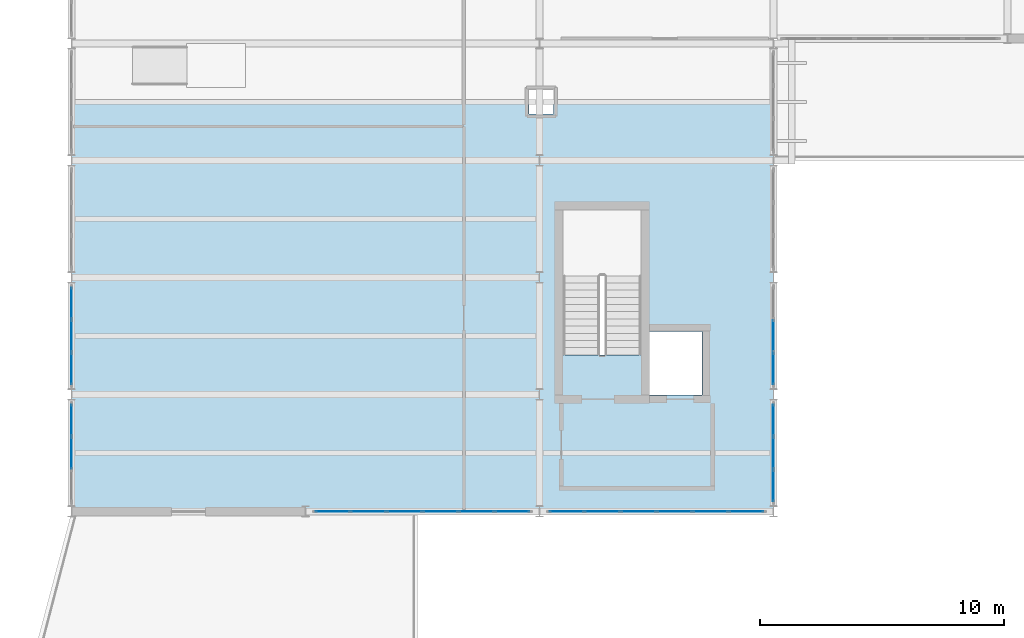
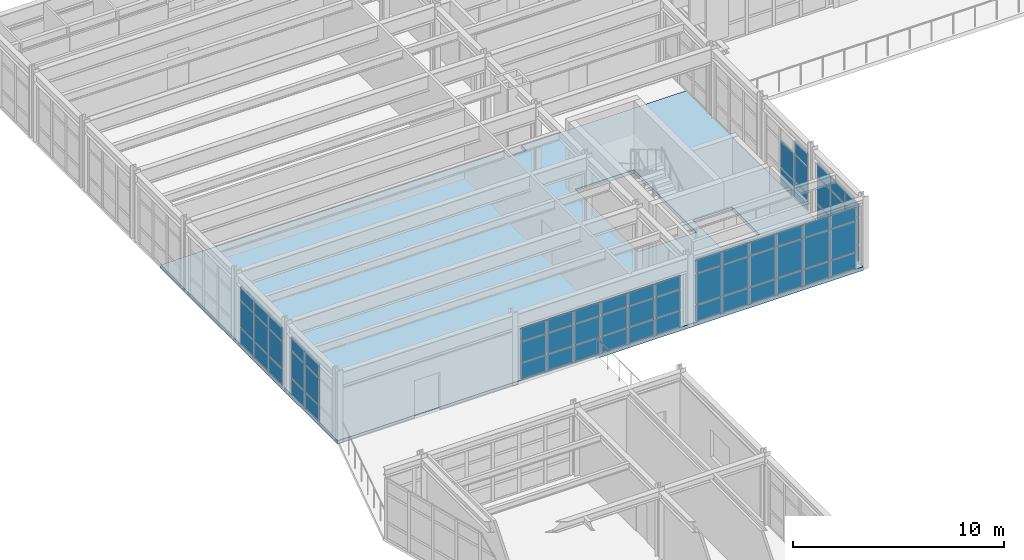
# One storey, part 31 of 47: 65 plates, 1 slab, 6 elements without a shape of their own.
"""IFC4 building model written with IfcOpenShell, lengths in metres."""

from ifc_helpers import new_model, si_unit, direction, frame, origin, origin_2d, place, context, subcontext, project, spatial, polyline, rectangle, outline, extrude, material, layer, layer_set, type_object, element, aggregate, save


model = new_model("IFC4")

# Units and contexts
model_context = context("Model", 3, precision=1e-05, world=origin(), true_north=direction((0.0, 1.0)))
body_context = subcontext(model_context, "Body", "Model", "MODEL_VIEW")
ifc_project = project(units=[si_unit("LENGTHUNIT", "METRE"), si_unit("AREAUNIT", "SQUARE_METRE"), si_unit("VOLUMEUNIT", "CUBIC_METRE"), si_unit("PLANEANGLEUNIT", "RADIAN"), si_unit("MASSUNIT", "GRAM", prefix="KILO")], contexts=[model_context])

# Site, building, storey
site_placement = place(None, origin())
site = spatial("IfcSite", under=ifc_project, at=site_placement, CompositionType="ELEMENT")
building_placement = place(site_placement, origin())
building = spatial("IfcBuilding", under=site, at=building_placement, Name="Nordkorset Police Headquarters", CompositionType="ELEMENT")
storey_placement = place(building_placement, frame((0.0, 0.0, 22.050048828125)))
storey = spatial("IfcBuildingStorey", under=building, at=storey_placement, Name="L05", CompositionType="ELEMENT", Elevation=22.050048828125)

# Curtain wall, plates
ifc_material_1 = material(Name="Aluminium alloy AW-6060", Category="aluminium")
ifc_layer_1 = layer(ifc_material_1, 0.179931640625, Name="Aluminium alloy AW-6060")
ifc_layer_set_1 = layer_set([ifc_layer_1], Name="Aluminium alloy AW-6060")
curtain_wall_type_1 = type_object("IfcCurtainWallType", Name="CW_Unit_408x344", PredefinedType="USERDEFINED", material=ifc_layer_set_1)
curtain_wall_1_placement = place(storey_placement, origin())
curtain_wall_1 = element("IfcCurtainWall", 1, at=curtain_wall_1_placement, inside=storey, type_object=curtain_wall_type_1, Name="Unitised Curtain Wall L05 V1W-0", ObjectType="UNITISED CURTAIN WALL", PredefinedType="USERDEFINED")
ifc_material_2 = material(Name="Low-iron triple glazing", Category="glass")
ifc_layer_2 = layer(ifc_material_2, 0.035888671875, Name="Low-iron triple glazing")
ifc_layer_set_2 = layer_set([ifc_layer_2], Name="Low-iron triple glazing")
plate_type = type_object("IfcPlateType", Name="CW_Panel_TripleGlazing_36", PredefinedType="CURTAIN_PANEL", material=ifc_layer_set_2)
plate_1_placement = place(storey_placement, frame((0.0, 85.60009765625, 0.06494140625), z_axis=(0.0, 0.0, 1.0), x_axis=(0.0, 1.0, 0.0)))
plate_1 = element("IfcPlate", 2, at=plate_1_placement, type_object=plate_type, Name="CW-29 panel 2.1", PredefinedType="CURTAIN_PANEL", context=body_context, shape_type="SweptSolid", body=[
    extrude(rectangle(XDim=1.294921875, YDim=0.035888671875, at=origin_2d()), origin(), (0.0, 0.0, 1.0), 0.902587890625),
])
plate_2_placement = place(storey_placement, frame((0.0, 85.60009765625, 1.032470703125), z_axis=(0.0, 0.0, 1.0), x_axis=(0.0, 1.0, 0.0)))
plate_2 = element("IfcPlate", 3, at=plate_2_placement, type_object=plate_type, Name="CW-29 panel 2.2", PredefinedType="CURTAIN_PANEL", context=body_context, shape_type="SweptSolid", body=[
    extrude(rectangle(XDim=1.294921875, YDim=0.035888671875, at=origin_2d()), origin(), (0.0, 0.0, 1.0), 1.52490234375),
])
plate_3_placement = place(storey_placement, frame((0.0, 85.60009765625, 2.62255859375), z_axis=(0.0, 0.0, 1.0), x_axis=(0.0, 1.0, 0.0)))
plate_3 = element("IfcPlate", 4, at=plate_3_placement, type_object=plate_type, Name="CW-29 panel 2.3", PredefinedType="CURTAIN_PANEL", context=body_context, shape_type="SweptSolid", body=[
    extrude(rectangle(XDim=1.294921875, YDim=0.035888671875, at=origin_2d()), origin(), (0.0, 0.0, 1.0), 0.75244140625),
])
plate_4_placement = place(storey_placement, frame((0.0, 86.94384765625, 0.06494140625), z_axis=(0.0, 0.0, 1.0), x_axis=(0.0, 1.0, 0.0)))
plate_4 = element("IfcPlate", 5, at=plate_4_placement, type_object=plate_type, Name="CW-29 panel 3.1", PredefinedType="CURTAIN_PANEL", context=body_context, shape_type="SweptSolid", body=[
    extrude(rectangle(XDim=1.262451171875, YDim=0.035888671875, at=origin_2d()), origin(), (0.0, 0.0, 1.0), 0.902587890625),
])
plate_5_placement = place(storey_placement, frame((0.0, 86.94384765625, 1.032470703125), z_axis=(0.0, 0.0, 1.0), x_axis=(0.0, 1.0, 0.0)))
plate_5 = element("IfcPlate", 6, at=plate_5_placement, type_object=plate_type, Name="CW-29 panel 3.2", PredefinedType="CURTAIN_PANEL", context=body_context, shape_type="SweptSolid", body=[
    extrude(rectangle(XDim=1.262451171875, YDim=0.035888671875, at=origin_2d()), origin(), (0.0, 0.0, 1.0), 1.52490234375),
])
plate_6_placement = place(storey_placement, frame((0.0, 86.94384765625, 2.62255859375), z_axis=(0.0, 0.0, 1.0), x_axis=(0.0, 1.0, 0.0)))
plate_6 = element("IfcPlate", 7, at=plate_6_placement, type_object=plate_type, Name="CW-29 panel 3.3", PredefinedType="CURTAIN_PANEL", context=body_context, shape_type="SweptSolid", body=[
    extrude(rectangle(XDim=1.262451171875, YDim=0.035888671875, at=origin_2d()), origin(), (0.0, 0.0, 1.0), 0.75244140625),
])
aggregate(curtain_wall_1, [plate_1, plate_2, plate_3, plate_4, plate_5, plate_6])

curtain_wall_2_placement = place(storey_placement, origin())
curtain_wall_2 = element("IfcCurtainWall", 8, at=curtain_wall_2_placement, inside=storey, type_object=curtain_wall_type_1, Name="Unitised Curtain Wall L05 V1W-1", ObjectType="UNITISED CURTAIN WALL", PredefinedType="USERDEFINED")
plate_7_placement = place(storey_placement, frame((0.0, 89.05615234375, 0.06494140625), z_axis=(0.0, 0.0, 1.0), x_axis=(0.0, 1.0, 0.0)))
plate_7 = element("IfcPlate", 9, at=plate_7_placement, type_object=plate_type, Name="CW-29 panel 1.1", PredefinedType="CURTAIN_PANEL", context=body_context, shape_type="SweptSolid", body=[
    extrude(rectangle(XDim=1.262451171875, YDim=0.035888671875, at=origin_2d()), origin(), (0.0, 0.0, 1.0), 0.902587890625),
])
plate_8_placement = place(storey_placement, frame((0.0, 89.05615234375, 1.032470703125), z_axis=(0.0, 0.0, 1.0), x_axis=(0.0, 1.0, 0.0)))
plate_8 = element("IfcPlate", 10, at=plate_8_placement, type_object=plate_type, Name="CW-29 panel 1.2", PredefinedType="CURTAIN_PANEL", context=body_context, shape_type="SweptSolid", body=[
    extrude(rectangle(XDim=1.262451171875, YDim=0.035888671875, at=origin_2d()), origin(), (0.0, 0.0, 1.0), 1.52490234375),
])
plate_9_placement = place(storey_placement, frame((0.0, 89.05615234375, 2.62255859375), z_axis=(0.0, 0.0, 1.0), x_axis=(0.0, 1.0, 0.0)))
plate_9 = element("IfcPlate", 11, at=plate_9_placement, type_object=plate_type, Name="CW-29 panel 1.3", PredefinedType="CURTAIN_PANEL", context=body_context, shape_type="SweptSolid", body=[
    extrude(rectangle(XDim=1.262451171875, YDim=0.035888671875, at=origin_2d()), origin(), (0.0, 0.0, 1.0), 0.75244140625),
])
plate_10_placement = place(storey_placement, frame((0.0, 90.39990234375, 0.06494140625), z_axis=(0.0, 0.0, 1.0), x_axis=(0.0, 1.0, 0.0)))
plate_10 = element("IfcPlate", 12, at=plate_10_placement, type_object=plate_type, Name="CW-29 panel 2.1", PredefinedType="CURTAIN_PANEL", context=body_context, shape_type="SweptSolid", body=[
    extrude(rectangle(XDim=1.294921875, YDim=0.035888671875, at=origin_2d()), origin(), (0.0, 0.0, 1.0), 0.902587890625),
])
plate_11_placement = place(storey_placement, frame((0.0, 90.39990234375, 1.032470703125), z_axis=(0.0, 0.0, 1.0), x_axis=(0.0, 1.0, 0.0)))
plate_11 = element("IfcPlate", 13, at=plate_11_placement, type_object=plate_type, Name="CW-29 panel 2.2", PredefinedType="CURTAIN_PANEL", context=body_context, shape_type="SweptSolid", body=[
    extrude(rectangle(XDim=1.294921875, YDim=0.035888671875, at=origin_2d()), origin(), (0.0, 0.0, 1.0), 1.52490234375),
])
plate_12_placement = place(storey_placement, frame((0.0, 90.39990234375, 2.62255859375), z_axis=(0.0, 0.0, 1.0), x_axis=(0.0, 1.0, 0.0)))
plate_12 = element("IfcPlate", 14, at=plate_12_placement, type_object=plate_type, Name="CW-29 panel 2.3", PredefinedType="CURTAIN_PANEL", context=body_context, shape_type="SweptSolid", body=[
    extrude(rectangle(XDim=1.294921875, YDim=0.035888671875, at=origin_2d()), origin(), (0.0, 0.0, 1.0), 0.75244140625),
])
plate_13_placement = place(storey_placement, frame((0.0, 91.74365234375, 0.06494140625), z_axis=(0.0, 0.0, 1.0), x_axis=(0.0, 1.0, 0.0)))
plate_13 = element("IfcPlate", 15, at=plate_13_placement, type_object=plate_type, Name="CW-29 panel 3.1", PredefinedType="CURTAIN_PANEL", context=body_context, shape_type="SweptSolid", body=[
    extrude(rectangle(XDim=1.262451171875, YDim=0.035888671875, at=origin_2d()), origin(), (0.0, 0.0, 1.0), 0.902587890625),
])
plate_14_placement = place(storey_placement, frame((0.0, 91.74365234375, 1.032470703125), z_axis=(0.0, 0.0, 1.0), x_axis=(0.0, 1.0, 0.0)))
plate_14 = element("IfcPlate", 16, at=plate_14_placement, type_object=plate_type, Name="CW-29 panel 3.2", PredefinedType="CURTAIN_PANEL", context=body_context, shape_type="SweptSolid", body=[
    extrude(rectangle(XDim=1.262451171875, YDim=0.035888671875, at=origin_2d()), origin(), (0.0, 0.0, 1.0), 1.52490234375),
])
plate_15_placement = place(storey_placement, frame((0.0, 91.74365234375, 2.62255859375), z_axis=(0.0, 0.0, 1.0), x_axis=(0.0, 1.0, 0.0)))
plate_15 = element("IfcPlate", 17, at=plate_15_placement, type_object=plate_type, Name="CW-29 panel 3.3", PredefinedType="CURTAIN_PANEL", context=body_context, shape_type="SweptSolid", body=[
    extrude(rectangle(XDim=1.262451171875, YDim=0.035888671875, at=origin_2d()), origin(), (0.0, 0.0, 1.0), 0.75244140625),
])
aggregate(curtain_wall_2, [plate_7, plate_8, plate_9, plate_10, plate_11, plate_12, plate_13, plate_14, plate_15])

curtain_wall_3_placement = place(storey_placement, origin())
curtain_wall_3 = element("IfcCurtainWall", 18, at=curtain_wall_3_placement, inside=storey, type_object=curtain_wall_type_1, Name="Unitised Curtain Wall L05 V1E-0", ObjectType="UNITISED CURTAIN WALL", PredefinedType="USERDEFINED")
plate_16_placement = place(storey_placement, frame((28.800048828125, 84.25634765625, 0.06494140625), z_axis=(0.0, 0.0, 1.0), x_axis=(0.0, 1.0, 0.0)))
plate_16 = element("IfcPlate", 19, at=plate_16_placement, type_object=plate_type, Name="CW-29 panel 1.1", PredefinedType="CURTAIN_PANEL", context=body_context, shape_type="SweptSolid", body=[
    extrude(rectangle(XDim=1.262451171875, YDim=0.035888671875, at=origin_2d()), origin(), (0.0, 0.0, 1.0), 0.902587890625),
])
plate_17_placement = place(storey_placement, frame((28.800048828125, 84.25634765625, 1.032470703125), z_axis=(0.0, 0.0, 1.0), x_axis=(0.0, 1.0, 0.0)))
plate_17 = element("IfcPlate", 20, at=plate_17_placement, type_object=plate_type, Name="CW-29 panel 1.2", PredefinedType="CURTAIN_PANEL", context=body_context, shape_type="SweptSolid", body=[
    extrude(rectangle(XDim=1.262451171875, YDim=0.035888671875, at=origin_2d()), origin(), (0.0, 0.0, 1.0), 1.52490234375),
])
plate_18_placement = place(storey_placement, frame((28.800048828125, 84.25634765625, 2.62255859375), z_axis=(0.0, 0.0, 1.0), x_axis=(0.0, 1.0, 0.0)))
plate_18 = element("IfcPlate", 21, at=plate_18_placement, type_object=plate_type, Name="CW-29 panel 1.3", PredefinedType="CURTAIN_PANEL", context=body_context, shape_type="SweptSolid", body=[
    extrude(rectangle(XDim=1.262451171875, YDim=0.035888671875, at=origin_2d()), origin(), (0.0, 0.0, 1.0), 0.75244140625),
])
plate_19_placement = place(storey_placement, frame((28.800048828125, 85.60009765625, 0.06494140625), z_axis=(0.0, 0.0, 1.0), x_axis=(0.0, 1.0, 0.0)))
plate_19 = element("IfcPlate", 22, at=plate_19_placement, type_object=plate_type, Name="CW-29 panel 2.1", PredefinedType="CURTAIN_PANEL", context=body_context, shape_type="SweptSolid", body=[
    extrude(rectangle(XDim=1.294921875, YDim=0.035888671875, at=origin_2d()), origin(), (0.0, 0.0, 1.0), 0.902587890625),
])
plate_20_placement = place(storey_placement, frame((28.800048828125, 85.60009765625, 1.032470703125), z_axis=(0.0, 0.0, 1.0), x_axis=(0.0, 1.0, 0.0)))
plate_20 = element("IfcPlate", 23, at=plate_20_placement, type_object=plate_type, Name="CW-29 panel 2.2", PredefinedType="CURTAIN_PANEL", context=body_context, shape_type="SweptSolid", body=[
    extrude(rectangle(XDim=1.294921875, YDim=0.035888671875, at=origin_2d()), origin(), (0.0, 0.0, 1.0), 1.52490234375),
])
plate_21_placement = place(storey_placement, frame((28.800048828125, 85.60009765625, 2.62255859375), z_axis=(0.0, 0.0, 1.0), x_axis=(0.0, 1.0, 0.0)))
plate_21 = element("IfcPlate", 24, at=plate_21_placement, type_object=plate_type, Name="CW-29 panel 2.3", PredefinedType="CURTAIN_PANEL", context=body_context, shape_type="SweptSolid", body=[
    extrude(rectangle(XDim=1.294921875, YDim=0.035888671875, at=origin_2d()), origin(), (0.0, 0.0, 1.0), 0.75244140625),
])
plate_22_placement = place(storey_placement, frame((28.800048828125, 86.94384765625, 0.06494140625), z_axis=(0.0, 0.0, 1.0), x_axis=(0.0, 1.0, 0.0)))
plate_22 = element("IfcPlate", 25, at=plate_22_placement, type_object=plate_type, Name="CW-29 panel 3.1", PredefinedType="CURTAIN_PANEL", context=body_context, shape_type="SweptSolid", body=[
    extrude(rectangle(XDim=1.262451171875, YDim=0.035888671875, at=origin_2d()), origin(), (0.0, 0.0, 1.0), 0.902587890625),
])
plate_23_placement = place(storey_placement, frame((28.800048828125, 86.94384765625, 1.032470703125), z_axis=(0.0, 0.0, 1.0), x_axis=(0.0, 1.0, 0.0)))
plate_23 = element("IfcPlate", 26, at=plate_23_placement, type_object=plate_type, Name="CW-29 panel 3.2", PredefinedType="CURTAIN_PANEL", context=body_context, shape_type="SweptSolid", body=[
    extrude(rectangle(XDim=1.262451171875, YDim=0.035888671875, at=origin_2d()), origin(), (0.0, 0.0, 1.0), 1.52490234375),
])
plate_24_placement = place(storey_placement, frame((28.800048828125, 86.94384765625, 2.62255859375), z_axis=(0.0, 0.0, 1.0), x_axis=(0.0, 1.0, 0.0)))
plate_24 = element("IfcPlate", 27, at=plate_24_placement, type_object=plate_type, Name="CW-29 panel 3.3", PredefinedType="CURTAIN_PANEL", context=body_context, shape_type="SweptSolid", body=[
    extrude(rectangle(XDim=1.262451171875, YDim=0.035888671875, at=origin_2d()), origin(), (0.0, 0.0, 1.0), 0.75244140625),
])
aggregate(curtain_wall_3, [plate_16, plate_17, plate_18, plate_19, plate_20, plate_21, plate_22, plate_23, plate_24])

curtain_wall_4_placement = place(storey_placement, origin())
curtain_wall_4 = element("IfcCurtainWall", 28, at=curtain_wall_4_placement, inside=storey, type_object=curtain_wall_type_1, Name="Unitised Curtain Wall L05 V1E-1", ObjectType="UNITISED CURTAIN WALL", PredefinedType="USERDEFINED")
plate_25_placement = place(storey_placement, frame((28.800048828125, 89.05615234375, 0.06494140625), z_axis=(0.0, 0.0, 1.0), x_axis=(0.0, 1.0, 0.0)))
plate_25 = element("IfcPlate", 29, at=plate_25_placement, type_object=plate_type, Name="CW-29 panel 1.1", PredefinedType="CURTAIN_PANEL", context=body_context, shape_type="SweptSolid", body=[
    extrude(rectangle(XDim=1.262451171875, YDim=0.035888671875, at=origin_2d()), origin(), (0.0, 0.0, 1.0), 0.902587890625),
])
plate_26_placement = place(storey_placement, frame((28.800048828125, 89.05615234375, 1.032470703125), z_axis=(0.0, 0.0, 1.0), x_axis=(0.0, 1.0, 0.0)))
plate_26 = element("IfcPlate", 30, at=plate_26_placement, type_object=plate_type, Name="CW-29 panel 1.2", PredefinedType="CURTAIN_PANEL", context=body_context, shape_type="SweptSolid", body=[
    extrude(rectangle(XDim=1.262451171875, YDim=0.035888671875, at=origin_2d()), origin(), (0.0, 0.0, 1.0), 1.52490234375),
])
plate_27_placement = place(storey_placement, frame((28.800048828125, 89.05615234375, 2.62255859375), z_axis=(0.0, 0.0, 1.0), x_axis=(0.0, 1.0, 0.0)))
plate_27 = element("IfcPlate", 31, at=plate_27_placement, type_object=plate_type, Name="CW-29 panel 1.3", PredefinedType="CURTAIN_PANEL", context=body_context, shape_type="SweptSolid", body=[
    extrude(rectangle(XDim=1.262451171875, YDim=0.035888671875, at=origin_2d()), origin(), (0.0, 0.0, 1.0), 0.75244140625),
])
plate_28_placement = place(storey_placement, frame((28.800048828125, 90.39990234375, 0.06494140625), z_axis=(0.0, 0.0, 1.0), x_axis=(0.0, 1.0, 0.0)))
plate_28 = element("IfcPlate", 32, at=plate_28_placement, type_object=plate_type, Name="CW-29 panel 2.1", PredefinedType="CURTAIN_PANEL", context=body_context, shape_type="SweptSolid", body=[
    extrude(rectangle(XDim=1.294921875, YDim=0.035888671875, at=origin_2d()), origin(), (0.0, 0.0, 1.0), 0.902587890625),
])
plate_29_placement = place(storey_placement, frame((28.800048828125, 90.39990234375, 1.032470703125), z_axis=(0.0, 0.0, 1.0), x_axis=(0.0, 1.0, 0.0)))
plate_29 = element("IfcPlate", 33, at=plate_29_placement, type_object=plate_type, Name="CW-29 panel 2.2", PredefinedType="CURTAIN_PANEL", context=body_context, shape_type="SweptSolid", body=[
    extrude(rectangle(XDim=1.294921875, YDim=0.035888671875, at=origin_2d()), origin(), (0.0, 0.0, 1.0), 1.52490234375),
])
aggregate(curtain_wall_4, [plate_25, plate_26, plate_27, plate_28, plate_29])

ifc_material_3 = material(Name="Aluminium alloy AW-6060", Category="aluminium")
ifc_layer_3 = layer(ifc_material_3, 0.179931640625, Name="Aluminium alloy AW-6060")
ifc_layer_set_3 = layer_set([ifc_layer_3], Name="Aluminium alloy AW-6060")
curtain_wall_type_2 = type_object("IfcCurtainWallType", Name="CW_Unit_888x308", PredefinedType="USERDEFINED", material=ifc_layer_set_3)
curtain_wall_5_placement = place(storey_placement, origin())
curtain_wall_5 = element("IfcCurtainWall", 34, at=curtain_wall_5_placement, inside=storey, type_object=curtain_wall_type_2, Name="Unitised Curtain Wall L05 V1S-1", ObjectType="UNITISED CURTAIN WALL", PredefinedType="USERDEFINED")
plate_30_placement = place(storey_placement, frame((10.71630859375, 83.199951171875, 0.06494140625), z_axis=(0.0, 0.0, 1.0), x_axis=(1.0, 0.0, 0.0)))
plate_30 = element("IfcPlate", 35, at=plate_30_placement, type_object=plate_type, Name="CW-81 panel 1.1", PredefinedType="CURTAIN_PANEL", context=body_context, shape_type="SweptSolid", body=[
    extrude(rectangle(XDim=1.382568359375, YDim=0.035888671875, at=origin_2d()), origin(), (0.0, 0.0, 1.0), 0.902587890625),
])
plate_31_placement = place(storey_placement, frame((10.71630859375, 83.199951171875, 1.032470703125), z_axis=(0.0, 0.0, 1.0), x_axis=(1.0, 0.0, 0.0)))
plate_31 = element("IfcPlate", 36, at=plate_31_placement, type_object=plate_type, Name="CW-81 panel 1.2", PredefinedType="CURTAIN_PANEL", context=body_context, shape_type="SweptSolid", body=[
    extrude(rectangle(XDim=1.382568359375, YDim=0.035888671875, at=origin_2d()), origin(), (0.0, 0.0, 1.0), 1.1650390625),
])
plate_32_placement = place(storey_placement, frame((10.71630859375, 83.199951171875, 2.262451171875), z_axis=(0.0, 0.0, 1.0), x_axis=(1.0, 0.0, 0.0)))
plate_32 = element("IfcPlate", 37, at=plate_32_placement, type_object=plate_type, Name="CW-81 panel 1.3", PredefinedType="CURTAIN_PANEL", context=body_context, shape_type="SweptSolid", body=[
    extrude(rectangle(XDim=1.382568359375, YDim=0.035888671875, at=origin_2d()), origin(), (0.0, 0.0, 1.0), 0.75244140625),
])
plate_33_placement = place(storey_placement, frame((12.179931640625, 83.199951171875, 0.06494140625), z_axis=(0.0, 0.0, 1.0), x_axis=(1.0, 0.0, 0.0)))
plate_33 = element("IfcPlate", 38, at=plate_33_placement, type_object=plate_type, Name="CW-81 panel 2.1", PredefinedType="CURTAIN_PANEL", context=body_context, shape_type="SweptSolid", body=[
    extrude(rectangle(XDim=1.4150390625, YDim=0.035888671875, at=origin_2d()), origin(), (0.0, 0.0, 1.0), 0.902587890625),
])
plate_34_placement = place(storey_placement, frame((12.179931640625, 83.199951171875, 1.032470703125), z_axis=(0.0, 0.0, 1.0), x_axis=(1.0, 0.0, 0.0)))
plate_34 = element("IfcPlate", 39, at=plate_34_placement, type_object=plate_type, Name="CW-81 panel 2.2", PredefinedType="CURTAIN_PANEL", context=body_context, shape_type="SweptSolid", body=[
    extrude(rectangle(XDim=1.4150390625, YDim=0.035888671875, at=origin_2d()), origin(), (0.0, 0.0, 1.0), 1.1650390625),
])
plate_35_placement = place(storey_placement, frame((12.179931640625, 83.199951171875, 2.262451171875), z_axis=(0.0, 0.0, 1.0), x_axis=(1.0, 0.0, 0.0)))
plate_35 = element("IfcPlate", 40, at=plate_35_placement, type_object=plate_type, Name="CW-81 panel 2.3", PredefinedType="CURTAIN_PANEL", context=body_context, shape_type="SweptSolid", body=[
    extrude(rectangle(XDim=1.4150390625, YDim=0.035888671875, at=origin_2d()), origin(), (0.0, 0.0, 1.0), 0.75244140625),
])
plate_36_placement = place(storey_placement, frame((13.659912109375, 83.199951171875, 0.06494140625), z_axis=(0.0, 0.0, 1.0), x_axis=(1.0, 0.0, 0.0)))
plate_36 = element("IfcPlate", 41, at=plate_36_placement, type_object=plate_type, Name="CW-81 panel 3.1", PredefinedType="CURTAIN_PANEL", context=body_context, shape_type="SweptSolid", body=[
    extrude(rectangle(XDim=1.4150390625, YDim=0.035888671875, at=origin_2d()), origin(), (0.0, 0.0, 1.0), 0.902587890625),
])
plate_37_placement = place(storey_placement, frame((13.659912109375, 83.199951171875, 1.032470703125), z_axis=(0.0, 0.0, 1.0), x_axis=(1.0, 0.0, 0.0)))
plate_37 = element("IfcPlate", 42, at=plate_37_placement, type_object=plate_type, Name="CW-81 panel 3.2", PredefinedType="CURTAIN_PANEL", context=body_context, shape_type="SweptSolid", body=[
    extrude(rectangle(XDim=1.4150390625, YDim=0.035888671875, at=origin_2d()), origin(), (0.0, 0.0, 1.0), 1.1650390625),
])
plate_38_placement = place(storey_placement, frame((13.659912109375, 83.199951171875, 2.262451171875), z_axis=(0.0, 0.0, 1.0), x_axis=(1.0, 0.0, 0.0)))
plate_38 = element("IfcPlate", 43, at=plate_38_placement, type_object=plate_type, Name="CW-81 panel 3.3", PredefinedType="CURTAIN_PANEL", context=body_context, shape_type="SweptSolid", body=[
    extrude(rectangle(XDim=1.4150390625, YDim=0.035888671875, at=origin_2d()), origin(), (0.0, 0.0, 1.0), 0.75244140625),
])
plate_39_placement = place(storey_placement, frame((15.139892578125, 83.199951171875, 0.06494140625), z_axis=(0.0, 0.0, 1.0), x_axis=(1.0, 0.0, 0.0)))
plate_39 = element("IfcPlate", 44, at=plate_39_placement, type_object=plate_type, Name="CW-81 panel 4.1", PredefinedType="CURTAIN_PANEL", context=body_context, shape_type="SweptSolid", body=[
    extrude(rectangle(XDim=1.4150390625, YDim=0.035888671875, at=origin_2d()), origin(), (0.0, 0.0, 1.0), 0.902587890625),
])
plate_40_placement = place(storey_placement, frame((15.139892578125, 83.199951171875, 1.032470703125), z_axis=(0.0, 0.0, 1.0), x_axis=(1.0, 0.0, 0.0)))
plate_40 = element("IfcPlate", 45, at=plate_40_placement, type_object=plate_type, Name="CW-81 panel 4.2", PredefinedType="CURTAIN_PANEL", context=body_context, shape_type="SweptSolid", body=[
    extrude(rectangle(XDim=1.4150390625, YDim=0.035888671875, at=origin_2d()), origin(), (0.0, 0.0, 1.0), 1.1650390625),
])
plate_41_placement = place(storey_placement, frame((15.139892578125, 83.199951171875, 2.262451171875), z_axis=(0.0, 0.0, 1.0), x_axis=(1.0, 0.0, 0.0)))
plate_41 = element("IfcPlate", 46, at=plate_41_placement, type_object=plate_type, Name="CW-81 panel 4.3", PredefinedType="CURTAIN_PANEL", context=body_context, shape_type="SweptSolid", body=[
    extrude(rectangle(XDim=1.4150390625, YDim=0.035888671875, at=origin_2d()), origin(), (0.0, 0.0, 1.0), 0.75244140625),
])
plate_42_placement = place(storey_placement, frame((16.6201171875, 83.199951171875, 0.06494140625), z_axis=(0.0, 0.0, 1.0), x_axis=(1.0, 0.0, 0.0)))
plate_42 = element("IfcPlate", 47, at=plate_42_placement, type_object=plate_type, Name="CW-81 panel 5.1", PredefinedType="CURTAIN_PANEL", context=body_context, shape_type="SweptSolid", body=[
    extrude(rectangle(XDim=1.4150390625, YDim=0.035888671875, at=origin_2d()), origin(), (0.0, 0.0, 1.0), 0.902587890625),
])
plate_43_placement = place(storey_placement, frame((16.6201171875, 83.199951171875, 1.032470703125), z_axis=(0.0, 0.0, 1.0), x_axis=(1.0, 0.0, 0.0)))
plate_43 = element("IfcPlate", 48, at=plate_43_placement, type_object=plate_type, Name="CW-81 panel 5.2", PredefinedType="CURTAIN_PANEL", context=body_context, shape_type="SweptSolid", body=[
    extrude(rectangle(XDim=1.4150390625, YDim=0.035888671875, at=origin_2d()), origin(), (0.0, 0.0, 1.0), 1.1650390625),
])
plate_44_placement = place(storey_placement, frame((16.6201171875, 83.199951171875, 2.262451171875), z_axis=(0.0, 0.0, 1.0), x_axis=(1.0, 0.0, 0.0)))
plate_44 = element("IfcPlate", 49, at=plate_44_placement, type_object=plate_type, Name="CW-81 panel 5.3", PredefinedType="CURTAIN_PANEL", context=body_context, shape_type="SweptSolid", body=[
    extrude(rectangle(XDim=1.4150390625, YDim=0.035888671875, at=origin_2d()), origin(), (0.0, 0.0, 1.0), 0.75244140625),
])
plate_45_placement = place(storey_placement, frame((18.083740234375, 83.199951171875, 0.06494140625), z_axis=(0.0, 0.0, 1.0), x_axis=(1.0, 0.0, 0.0)))
plate_45 = element("IfcPlate", 50, at=plate_45_placement, type_object=plate_type, Name="CW-81 panel 6.1", PredefinedType="CURTAIN_PANEL", context=body_context, shape_type="SweptSolid", body=[
    extrude(rectangle(XDim=1.382568359375, YDim=0.035888671875, at=origin_2d()), origin(), (0.0, 0.0, 1.0), 0.902587890625),
])
plate_46_placement = place(storey_placement, frame((18.083740234375, 83.199951171875, 1.032470703125), z_axis=(0.0, 0.0, 1.0), x_axis=(1.0, 0.0, 0.0)))
plate_46 = element("IfcPlate", 51, at=plate_46_placement, type_object=plate_type, Name="CW-81 panel 6.2", PredefinedType="CURTAIN_PANEL", context=body_context, shape_type="SweptSolid", body=[
    extrude(rectangle(XDim=1.382568359375, YDim=0.035888671875, at=origin_2d()), origin(), (0.0, 0.0, 1.0), 1.1650390625),
])
plate_47_placement = place(storey_placement, frame((18.083740234375, 83.199951171875, 2.262451171875), z_axis=(0.0, 0.0, 1.0), x_axis=(1.0, 0.0, 0.0)))
plate_47 = element("IfcPlate", 52, at=plate_47_placement, type_object=plate_type, Name="CW-81 panel 6.3", PredefinedType="CURTAIN_PANEL", context=body_context, shape_type="SweptSolid", body=[
    extrude(rectangle(XDim=1.382568359375, YDim=0.035888671875, at=origin_2d()), origin(), (0.0, 0.0, 1.0), 0.75244140625),
])
aggregate(curtain_wall_5, [plate_30, plate_31, plate_32, plate_33, plate_34, plate_35, plate_36, plate_37, plate_38, plate_39, plate_40, plate_41, plate_42, plate_43, plate_44, plate_45, plate_46, plate_47])

ifc_material_4 = material(Name="Aluminium alloy AW-6060", Category="aluminium")
ifc_layer_4 = layer(ifc_material_4, 0.179931640625, Name="Aluminium alloy AW-6060")
ifc_layer_set_4 = layer_set([ifc_layer_4], Name="Aluminium alloy AW-6060")
curtain_wall_type_3 = type_object("IfcCurtainWallType", Name="CW_Unit_888x367", PredefinedType="USERDEFINED", material=ifc_layer_set_4)
curtain_wall_6_placement = place(storey_placement, origin())
curtain_wall_6 = element("IfcCurtainWall", 53, at=curtain_wall_6_placement, inside=storey, type_object=curtain_wall_type_3, Name="Unitised Curtain Wall L05 V1S-2", ObjectType="UNITISED CURTAIN WALL", PredefinedType="USERDEFINED")
plate_48_placement = place(storey_placement, frame((20.316162109375, 83.199951171875, 0.06494140625), z_axis=(0.0, 0.0, 1.0), x_axis=(1.0, 0.0, 0.0)))
plate_48 = element("IfcPlate", 54, at=plate_48_placement, type_object=plate_type, Name="CW-91 panel 1.1", PredefinedType="CURTAIN_PANEL", context=body_context, shape_type="SweptSolid", body=[
    extrude(rectangle(XDim=1.382568359375, YDim=0.035888671875, at=origin_2d()), origin(), (0.0, 0.0, 1.0), 0.902587890625),
])
plate_49_placement = place(storey_placement, frame((20.316162109375, 83.199951171875, 1.032470703125), z_axis=(0.0, 0.0, 1.0), x_axis=(1.0, 0.0, 0.0)))
plate_49 = element("IfcPlate", 55, at=plate_49_placement, type_object=plate_type, Name="CW-91 panel 1.2", PredefinedType="CURTAIN_PANEL", context=body_context, shape_type="SweptSolid", body=[
    extrude(rectangle(XDim=1.382568359375, YDim=0.035888671875, at=origin_2d()), origin(), (0.0, 0.0, 1.0), 1.7548828125),
])
plate_50_placement = place(storey_placement, frame((20.316162109375, 83.199951171875, 2.8525390625), z_axis=(0.0, 0.0, 1.0), x_axis=(1.0, 0.0, 0.0)))
plate_50 = element("IfcPlate", 56, at=plate_50_placement, type_object=plate_type, Name="CW-91 panel 1.3", PredefinedType="CURTAIN_PANEL", context=body_context, shape_type="SweptSolid", body=[
    extrude(rectangle(XDim=1.382568359375, YDim=0.035888671875, at=origin_2d()), origin(), (0.0, 0.0, 1.0), 0.75244140625),
])
plate_51_placement = place(storey_placement, frame((21.780029296875, 83.199951171875, 0.06494140625), z_axis=(0.0, 0.0, 1.0), x_axis=(1.0, 0.0, 0.0)))
plate_51 = element("IfcPlate", 57, at=plate_51_placement, type_object=plate_type, Name="CW-91 panel 2.1", PredefinedType="CURTAIN_PANEL", context=body_context, shape_type="SweptSolid", body=[
    extrude(rectangle(XDim=1.4150390625, YDim=0.035888671875, at=origin_2d()), origin(), (0.0, 0.0, 1.0), 0.902587890625),
])
plate_52_placement = place(storey_placement, frame((21.780029296875, 83.199951171875, 1.032470703125), z_axis=(0.0, 0.0, 1.0), x_axis=(1.0, 0.0, 0.0)))
plate_52 = element("IfcPlate", 58, at=plate_52_placement, type_object=plate_type, Name="CW-91 panel 2.2", PredefinedType="CURTAIN_PANEL", context=body_context, shape_type="SweptSolid", body=[
    extrude(rectangle(XDim=1.4150390625, YDim=0.035888671875, at=origin_2d()), origin(), (0.0, 0.0, 1.0), 1.7548828125),
])
plate_53_placement = place(storey_placement, frame((21.780029296875, 83.199951171875, 2.8525390625), z_axis=(0.0, 0.0, 1.0), x_axis=(1.0, 0.0, 0.0)))
plate_53 = element("IfcPlate", 59, at=plate_53_placement, type_object=plate_type, Name="CW-91 panel 2.3", PredefinedType="CURTAIN_PANEL", context=body_context, shape_type="SweptSolid", body=[
    extrude(rectangle(XDim=1.4150390625, YDim=0.035888671875, at=origin_2d()), origin(), (0.0, 0.0, 1.0), 0.75244140625),
])
plate_54_placement = place(storey_placement, frame((23.260009765625, 83.199951171875, 0.06494140625), z_axis=(0.0, 0.0, 1.0), x_axis=(1.0, 0.0, 0.0)))
plate_54 = element("IfcPlate", 60, at=plate_54_placement, type_object=plate_type, Name="CW-91 panel 3.1", PredefinedType="CURTAIN_PANEL", context=body_context, shape_type="SweptSolid", body=[
    extrude(rectangle(XDim=1.4150390625, YDim=0.035888671875, at=origin_2d()), origin(), (0.0, 0.0, 1.0), 0.902587890625),
])
plate_55_placement = place(storey_placement, frame((23.260009765625, 83.199951171875, 1.032470703125), z_axis=(0.0, 0.0, 1.0), x_axis=(1.0, 0.0, 0.0)))
plate_55 = element("IfcPlate", 61, at=plate_55_placement, type_object=plate_type, Name="CW-91 panel 3.2", PredefinedType="CURTAIN_PANEL", context=body_context, shape_type="SweptSolid", body=[
    extrude(rectangle(XDim=1.4150390625, YDim=0.035888671875, at=origin_2d()), origin(), (0.0, 0.0, 1.0), 1.7548828125),
])
plate_56_placement = place(storey_placement, frame((23.260009765625, 83.199951171875, 2.8525390625), z_axis=(0.0, 0.0, 1.0), x_axis=(1.0, 0.0, 0.0)))
plate_56 = element("IfcPlate", 62, at=plate_56_placement, type_object=plate_type, Name="CW-91 panel 3.3", PredefinedType="CURTAIN_PANEL", context=body_context, shape_type="SweptSolid", body=[
    extrude(rectangle(XDim=1.4150390625, YDim=0.035888671875, at=origin_2d()), origin(), (0.0, 0.0, 1.0), 0.75244140625),
])
plate_57_placement = place(storey_placement, frame((24.739990234375, 83.199951171875, 0.06494140625), z_axis=(0.0, 0.0, 1.0), x_axis=(1.0, 0.0, 0.0)))
plate_57 = element("IfcPlate", 63, at=plate_57_placement, type_object=plate_type, Name="CW-91 panel 4.1", PredefinedType="CURTAIN_PANEL", context=body_context, shape_type="SweptSolid", body=[
    extrude(rectangle(XDim=1.4150390625, YDim=0.035888671875, at=origin_2d()), origin(), (0.0, 0.0, 1.0), 0.902587890625),
])
plate_58_placement = place(storey_placement, frame((24.739990234375, 83.199951171875, 1.032470703125), z_axis=(0.0, 0.0, 1.0), x_axis=(1.0, 0.0, 0.0)))
plate_58 = element("IfcPlate", 64, at=plate_58_placement, type_object=plate_type, Name="CW-91 panel 4.2", PredefinedType="CURTAIN_PANEL", context=body_context, shape_type="SweptSolid", body=[
    extrude(rectangle(XDim=1.4150390625, YDim=0.035888671875, at=origin_2d()), origin(), (0.0, 0.0, 1.0), 1.7548828125),
])
plate_59_placement = place(storey_placement, frame((24.739990234375, 83.199951171875, 2.8525390625), z_axis=(0.0, 0.0, 1.0), x_axis=(1.0, 0.0, 0.0)))
plate_59 = element("IfcPlate", 65, at=plate_59_placement, type_object=plate_type, Name="CW-91 panel 4.3", PredefinedType="CURTAIN_PANEL", context=body_context, shape_type="SweptSolid", body=[
    extrude(rectangle(XDim=1.4150390625, YDim=0.035888671875, at=origin_2d()), origin(), (0.0, 0.0, 1.0), 0.75244140625),
])
plate_60_placement = place(storey_placement, frame((26.219970703125, 83.199951171875, 0.06494140625), z_axis=(0.0, 0.0, 1.0), x_axis=(1.0, 0.0, 0.0)))
plate_60 = element("IfcPlate", 66, at=plate_60_placement, type_object=plate_type, Name="CW-91 panel 5.1", PredefinedType="CURTAIN_PANEL", context=body_context, shape_type="SweptSolid", body=[
    extrude(rectangle(XDim=1.4150390625, YDim=0.035888671875, at=origin_2d()), origin(), (0.0, 0.0, 1.0), 0.902587890625),
])
plate_61_placement = place(storey_placement, frame((26.219970703125, 83.199951171875, 1.032470703125), z_axis=(0.0, 0.0, 1.0), x_axis=(1.0, 0.0, 0.0)))
plate_61 = element("IfcPlate", 67, at=plate_61_placement, type_object=plate_type, Name="CW-91 panel 5.2", PredefinedType="CURTAIN_PANEL", context=body_context, shape_type="SweptSolid", body=[
    extrude(rectangle(XDim=1.4150390625, YDim=0.035888671875, at=origin_2d()), origin(), (0.0, 0.0, 1.0), 1.7548828125),
])
plate_62_placement = place(storey_placement, frame((26.219970703125, 83.199951171875, 2.8525390625), z_axis=(0.0, 0.0, 1.0), x_axis=(1.0, 0.0, 0.0)))
plate_62 = element("IfcPlate", 68, at=plate_62_placement, type_object=plate_type, Name="CW-91 panel 5.3", PredefinedType="CURTAIN_PANEL", context=body_context, shape_type="SweptSolid", body=[
    extrude(rectangle(XDim=1.4150390625, YDim=0.035888671875, at=origin_2d()), origin(), (0.0, 0.0, 1.0), 0.75244140625),
])
plate_63_placement = place(storey_placement, frame((27.683837890625, 83.199951171875, 0.06494140625), z_axis=(0.0, 0.0, 1.0), x_axis=(1.0, 0.0, 0.0)))
plate_63 = element("IfcPlate", 69, at=plate_63_placement, type_object=plate_type, Name="CW-91 panel 6.1", PredefinedType="CURTAIN_PANEL", context=body_context, shape_type="SweptSolid", body=[
    extrude(rectangle(XDim=1.382568359375, YDim=0.035888671875, at=origin_2d()), origin(), (0.0, 0.0, 1.0), 0.902587890625),
])
plate_64_placement = place(storey_placement, frame((27.683837890625, 83.199951171875, 1.032470703125), z_axis=(0.0, 0.0, 1.0), x_axis=(1.0, 0.0, 0.0)))
plate_64 = element("IfcPlate", 70, at=plate_64_placement, type_object=plate_type, Name="CW-91 panel 6.2", PredefinedType="CURTAIN_PANEL", context=body_context, shape_type="SweptSolid", body=[
    extrude(rectangle(XDim=1.382568359375, YDim=0.035888671875, at=origin_2d()), origin(), (0.0, 0.0, 1.0), 1.7548828125),
])
plate_65_placement = place(storey_placement, frame((27.683837890625, 83.199951171875, 2.8525390625), z_axis=(0.0, 0.0, 1.0), x_axis=(1.0, 0.0, 0.0)))
plate_65 = element("IfcPlate", 71, at=plate_65_placement, type_object=plate_type, Name="CW-91 panel 6.3", PredefinedType="CURTAIN_PANEL", context=body_context, shape_type="SweptSolid", body=[
    extrude(rectangle(XDim=1.382568359375, YDim=0.035888671875, at=origin_2d()), origin(), (0.0, 0.0, 1.0), 0.75244140625),
])
aggregate(curtain_wall_6, [plate_48, plate_49, plate_50, plate_51, plate_52, plate_53, plate_54, plate_55, plate_56, plate_57, plate_58, plate_59, plate_60, plate_61, plate_62, plate_63, plate_64, plate_65])

# Slab
ifc_material_5 = material(Name="Concrete C35/45", Category="concrete")
ifc_layer_5 = layer(ifc_material_5, 0.2099609375, Name="Concrete C35/45")
ifc_layer_set_5 = layer_set([ifc_layer_5], Name="Concrete C35/45")
slab_type = type_object("IfcSlabType", Name="Slab_Office_210", PredefinedType="FLOOR", material=ifc_layer_set_5)
slab_placement = place(storey_placement, frame((0.0, 0.0, -0.2099609375)))
element("IfcSlab", 72, at=slab_placement, inside=storey, type_object=slab_type, Name="Composite Floor Slab V1 South L05", PredefinedType="FLOOR", context=body_context, shape_type="SweptSolid", body=[
    extrude(outline(polyline([(18.780029296875, 100.0), (18.780029296875, 99.5), (19.780029296875, 99.5), (19.780029296875, 100.0), (28.800048828125, 100.0), (28.800048828125, 83.199951171875), (0.0, 83.199951171875), (0.0, 100.0), (18.780029296875, 100.0)]), holes=[polyline([(20.175048828125, 95.574951171875), (20.175048828125, 89.6279296875), (23.375, 89.6279296875), (23.375, 95.574951171875), (20.175048828125, 95.574951171875)]), polyline([(25.875, 90.574951171875), (23.72509765625, 90.574951171875), (23.72509765625, 87.97509765625), (25.875, 87.97509765625), (25.875, 90.574951171875)])]), origin(), (0.0, 0.0, 1.0), 0.2099609375),
])

save(model, "model.ifc")
